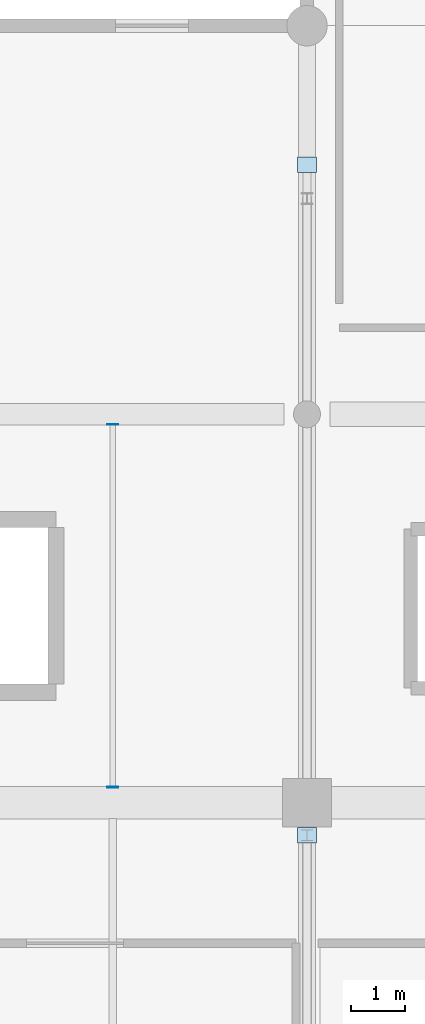
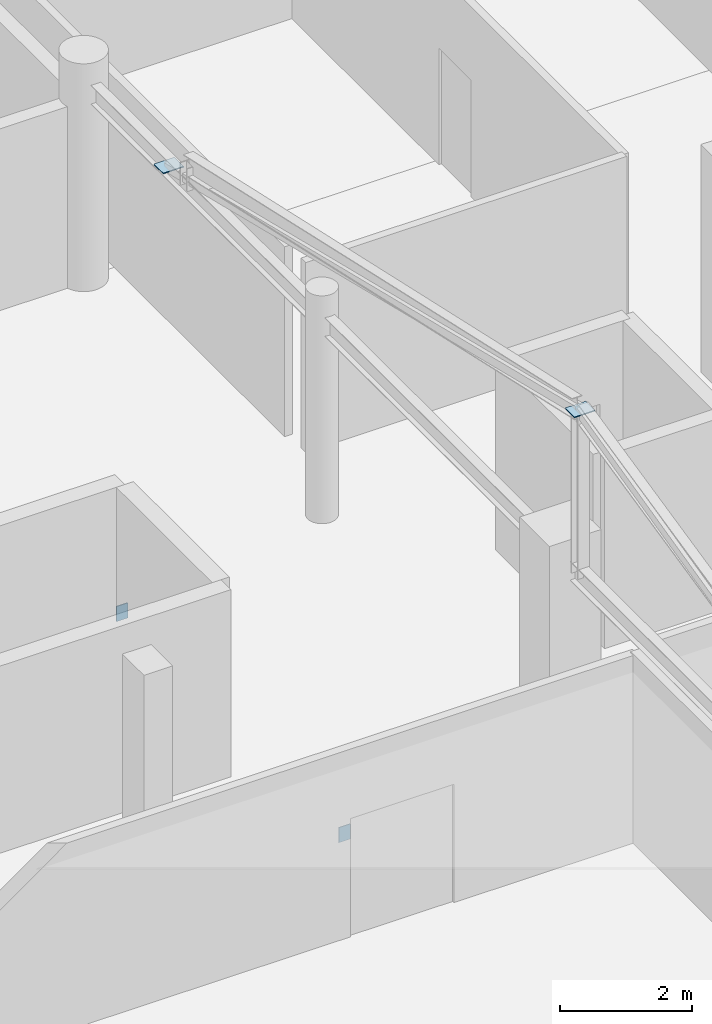
# One storey, part 30 of 41: 4 plates.
"""IFC4 building model written with IfcOpenShell, lengths in metres."""

from ifc_helpers import new_model, si_unit, direction, frame, origin, origin_2d, place, context, subcontext, project, spatial, rectangle, extrude, material, layer, layer_set, type_object, element, save


model = new_model("IFC4")

# Units and contexts
model_context = context("Model", 3, precision=1e-05, world=origin(), true_north=direction((0.0, 1.0)))
body_context = subcontext(model_context, "Body", "Model", "MODEL_VIEW")
ifc_project = project(units=[si_unit("LENGTHUNIT", "METRE"), si_unit("AREAUNIT", "SQUARE_METRE"), si_unit("VOLUMEUNIT", "CUBIC_METRE"), si_unit("PLANEANGLEUNIT", "RADIAN"), si_unit("MASSUNIT", "GRAM", prefix="KILO")], contexts=[model_context])

# Site, building, storey
site_placement = place(None, origin())
site = spatial("IfcSite", under=ifc_project, at=site_placement, CompositionType="ELEMENT")
building_placement = place(site_placement, origin())
building = spatial("IfcBuilding", under=site, at=building_placement, Name="Solanera Park Tramway Depot", CompositionType="ELEMENT")
storey_placement = place(building_placement, frame((0.0, 0.0, 13.199951171875)))
storey = spatial("IfcBuildingStorey", under=building, at=storey_placement, Name="L03", CompositionType="ELEMENT", Elevation=13.199951171875)

# Plates
ifc_material_1 = material(Name="Steel AS/NZS 3679.1 Grade 350", Category="steel")
ifc_layer_1 = layer(ifc_material_1, 0.013916015625)
ifc_layer_set_1 = layer_set([ifc_layer_1], Name="Steel AS/NZS 3679.1 Grade 350")
plate_type_1 = type_object("IfcPlateType", Name="Hollow End Cap and Base Plate 280x200x14", PredefinedType="USERDEFINED", material=ifc_layer_set_1)
for number, where, z_axis, x_axis, name in (
    (1, (162.0, 18.2890625, -0.56884765625), (0.0, 0.0, 1.0), (0.0, 1.0, 0.0), "Hollow Section Welded End Cap Plate #0064"),
    (2, (162.0, 25.010986328125, -0.56884765625), (0.0, 0.0, 1.0), (0.0, 1.0, 0.0), "Hollow Section Welded End Cap Plate #0065"),
):
    element("IfcPlate", number, at=place(storey_placement, frame(where, z_axis=z_axis, x_axis=x_axis)), inside=storey, type_object=plate_type_1, Name=name, ObjectType="BASE PLATE", PredefinedType="USERDEFINED", context=body_context, shape_type="SweptSolid", body=[
        extrude(rectangle(XDim=0.013916015625, YDim=0.199951171875, at=origin_2d()), origin(), (0.0, 0.0, 1.0), 0.280029296875),
    ])
ifc_material_2 = material(Name="Steel AS/NZS 3679.1 Grade 350", Category="steel")
ifc_layer_2 = layer(ifc_material_2, 0.01806640625)
ifc_layer_set_2 = layer_set([ifc_layer_2], Name="Steel AS/NZS 3679.1 Grade 350")
plate_type_2 = type_object("IfcPlateType", Name="Hollow End Cap and Base Plate 360x280x18", PredefinedType="USERDEFINED", material=ifc_layer_set_2)
for number, where, z_axis, x_axis, name in (
    (3, (165.60009765625, 17.39990234375, 6.650390625), (0.0, 0.0, 1.0), (1.0, 0.0, 0.0), "Hip Truss Web Sealed Cap Plate #1135"),
    (4, (165.60009765625, 29.824951171875, 3.61328125), (0.0, 0.0, 1.0), (1.0, 0.0, 0.0), "Hip Truss Web Sealed Cap Plate #1136"),
):
    element("IfcPlate", number, at=place(storey_placement, frame(where, z_axis=z_axis, x_axis=x_axis)), inside=storey, type_object=plate_type_2, Name=name, ObjectType="BASE PLATE", PredefinedType="USERDEFINED", context=body_context, shape_type="SweptSolid", body=[
        extrude(rectangle(XDim=0.360107421875, YDim=0.280029296875, at=origin_2d()), origin(), (0.0, 0.0, 1.0), 0.01806640625),
    ])

save(model, "model.ifc")
